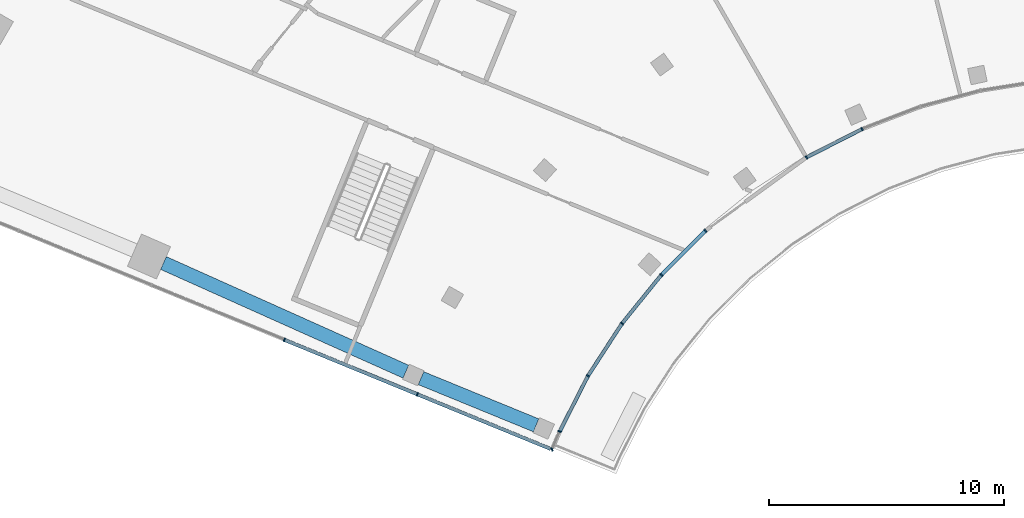
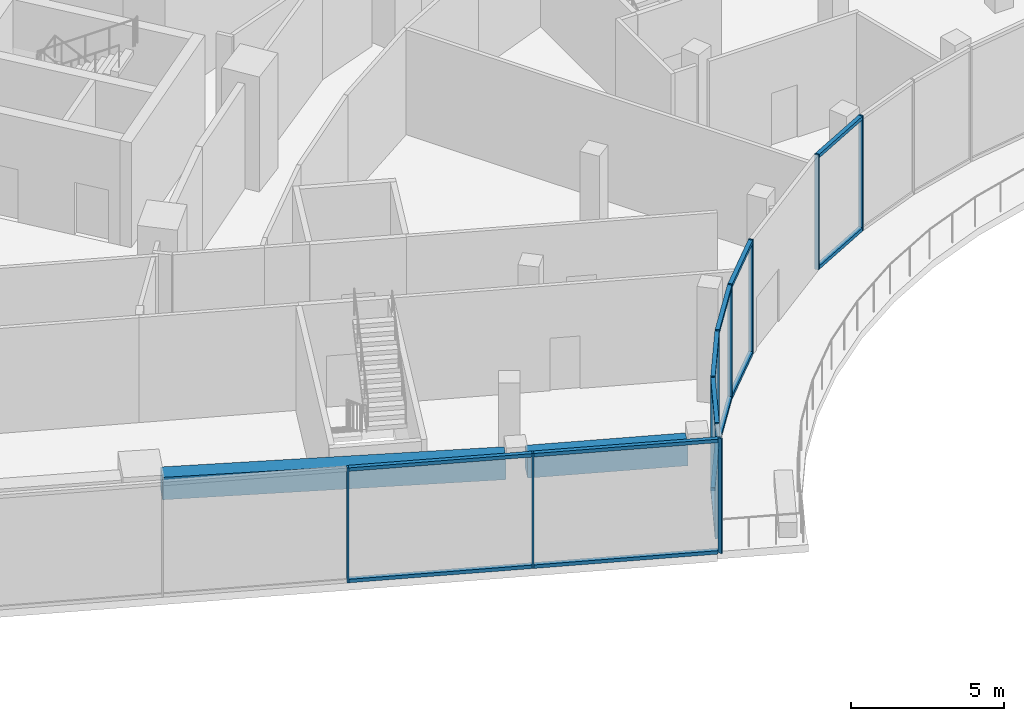
# One storey, part 4 of 39: 24 members, 2 beams, 2 elements without a shape of their own.
"""IFC4 building model written with IfcOpenShell, lengths in metres."""

from ifc_helpers import new_model, si_unit, direction, frame, origin, origin_2d, place, context, subcontext, project, spatial, rectangle, extrude, material, layer, layer_set, material_profile, profile_set, type_object, element, aggregate, save


model = new_model("IFC4")

# Units and contexts
model_context = context("Model", 3, precision=1e-05, world=origin(), true_north=direction((0.0, 1.0)))
body_context = subcontext(model_context, "Body", "Model", "MODEL_VIEW")
ifc_project = project(units=[si_unit("LENGTHUNIT", "METRE"), si_unit("AREAUNIT", "SQUARE_METRE"), si_unit("VOLUMEUNIT", "CUBIC_METRE"), si_unit("PLANEANGLEUNIT", "RADIAN"), si_unit("MASSUNIT", "GRAM", prefix="KILO")], contexts=[model_context])

# Site, building, storey
site_placement = place(None, origin())
site = spatial("IfcSite", under=ifc_project, at=site_placement, CompositionType="ELEMENT")
building_placement = place(site_placement, origin())
building = spatial("IfcBuilding", under=site, at=building_placement, Name="Stone Belt Terrace Tower", CompositionType="ELEMENT")
storey_placement = place(building_placement, frame((0.0, 0.0, 16.199951171875)))
storey = spatial("IfcBuildingStorey", under=building, at=storey_placement, Name="L03", CompositionType="ELEMENT", Elevation=16.199951171875)

# Curtain wall, members
ifc_material_1 = material(Name="Aluminium 6063-T6 anodised frame", Category="aluminium")
ifc_layer = layer(ifc_material_1, 0.14990234375)
ifc_layer_set = layer_set([ifc_layer], Name="CW-D podium shopfront")
curtain_wall_type = type_object("IfcCurtainWallType", Name="CW-D podium shopfront", PredefinedType="NOTDEFINED", material=ifc_layer_set)
curtain_wall_1_placement = place(storey_placement, origin())
curtain_wall_1 = element("IfcCurtainWall", 1, at=curtain_wall_1_placement, inside=storey, type_object=curtain_wall_type, Name="CW-D concave face L03", PredefinedType="NOTDEFINED")
ifc_material_profile_1 = material_profile(ifc_material_1, rectangle(XDim=0.14990234375, YDim=0.06005859375, at=origin_2d()), Name="Aluminium 6063-T6 60x150")
ifc_profile_set_1 = profile_set([ifc_material_profile_1], Name="Aluminium 6063-T6 anodised frame")
member_type_1 = type_object("IfcMemberType", Name="CW-D mullion 60 x 150", PredefinedType="MULLION", material=ifc_profile_set_1)
member_1_placement = place(storey_placement, frame((-23.55517578125, 9.5732421875, 0.0), z_axis=(0.0, 0.0, 1.0), x_axis=(-0.379212239192, 0.925309719849, 0.0)))
member_1 = element("IfcMember", 2, at=member_1_placement, type_object=member_type_1, Name="CW-D mullion 1", PredefinedType="MULLION", context=body_context, shape_type="SweptSolid", body=[
    extrude(rectangle(XDim=0.14990234375, YDim=0.06005859375, at=origin_2d()), origin(), (0.0, 0.0, 1.0), 4.60009765625),
])
member_2_placement = place(storey_placement, frame((-23.2275390625, 10.340087890625, 0.0), z_axis=(0.0, 0.0, 1.0), x_axis=(-0.905778201442, 0.423752108895, 0.0)))
member_2 = element("IfcMember", 3, at=member_2_placement, type_object=member_type_1, Name="CW-D mullion 2", PredefinedType="MULLION", context=body_context, shape_type="SweptSolid", body=[
    extrude(rectangle(XDim=0.14990234375, YDim=0.06005859375, at=origin_2d()), origin(), (0.0, 0.0, 1.0), 4.60009765625),
])
member_3_placement = place(storey_placement, frame((-22.0185546875, 12.71240234375, 0.0), z_axis=(0.0, 0.0, 1.0), x_axis=(-0.866025403784, 0.5, 0.0)))
member_3 = element("IfcMember", 4, at=member_3_placement, type_object=member_type_1, Name="CW-D mullion 3", PredefinedType="MULLION", context=body_context, shape_type="SweptSolid", body=[
    extrude(rectangle(XDim=0.14990234375, YDim=0.06005859375, at=origin_2d()), origin(), (0.0, 0.0, 1.0), 4.60009765625),
])
member_4_placement = place(storey_placement, frame((-20.569091796875, 14.9443359375, 0.0), z_axis=(0.0, 0.0, 1.0), x_axis=(-0.809016994375, 0.587785252292, 0.0)))
member_4 = element("IfcMember", 5, at=member_4_placement, type_object=member_type_1, Name="CW-D mullion 4", PredefinedType="MULLION", context=body_context, shape_type="SweptSolid", body=[
    extrude(rectangle(XDim=0.14990234375, YDim=0.06005859375, at=origin_2d()), origin(), (0.0, 0.0, 1.0), 4.60009765625),
])
member_5_placement = place(storey_placement, frame((-18.894287109375, 17.0126953125, 0.0), z_axis=(0.0, 0.0, 1.0), x_axis=(-0.743144825477, 0.669130606359, 0.0)))
member_5 = element("IfcMember", 6, at=member_5_placement, type_object=member_type_1, Name="CW-D mullion 5", PredefinedType="MULLION", context=body_context, shape_type="SweptSolid", body=[
    extrude(rectangle(XDim=0.14990234375, YDim=0.06005859375, at=origin_2d()), origin(), (0.0, 0.0, 1.0), 4.60009765625),
])
member_6_placement = place(storey_placement, frame((-17.013916015625, 18.89306640625, 0.0), z_axis=(0.0, 0.0, 1.0), x_axis=(-0.64944804833, 0.7604059656, 0.0)))
member_6 = element("IfcMember", 7, at=member_6_placement, type_object=member_type_1, Name="CW-D mullion 6", PredefinedType="MULLION", context=body_context, shape_type="SweptSolid", body=[
    extrude(rectangle(XDim=0.14990234375, YDim=0.06005859375, at=origin_2d()), origin(), (0.0, 0.0, 1.0), 4.60009765625),
])
member_7_placement = place(storey_placement, frame((-12.710693359375, 22.01953125, 0.0), z_axis=(0.0, 0.0, 1.0), x_axis=(-0.522498564716, 0.852640164354, 0.0)))
member_7 = element("IfcMember", 8, at=member_7_placement, type_object=member_type_1, Name="CW-D mullion 7", PredefinedType="MULLION", context=body_context, shape_type="SweptSolid", body=[
    extrude(rectangle(XDim=0.14990234375, YDim=0.06005859375, at=origin_2d()), origin(), (0.0, 0.0, 1.0), 4.60009765625),
])
member_8_placement = place(storey_placement, frame((-10.34130859375, 23.226806640625, 0.0), z_axis=(0.0, 0.0, 1.0), x_axis=(-0.406736643076, 0.913545457643, 0.0)))
member_8 = element("IfcMember", 9, at=member_8_placement, type_object=member_type_1, Name="CW-D mullion 8", PredefinedType="MULLION", context=body_context, shape_type="SweptSolid", body=[
    extrude(rectangle(XDim=0.14990234375, YDim=0.06005859375, at=origin_2d()), origin(), (0.0, 0.0, 1.0), 4.60009765625),
])

curtain_wall_2_placement = place(storey_placement, origin())
curtain_wall_2 = element("IfcCurtainWall", 10, at=curtain_wall_2_placement, inside=storey, type_object=curtain_wall_type, Name="CW-D end face L03", PredefinedType="NOTDEFINED")
member_9_placement = place(storey_placement, frame((-34.95849609375, 14.2470703125, 0.0), z_axis=(0.0, 0.0, 1.0), x_axis=(0.379243093825, 0.925297074342, 0.0)))
member_9 = element("IfcMember", 11, at=member_9_placement, type_object=member_type_1, Name="CW-D mullion 7", PredefinedType="MULLION", context=body_context, shape_type="SweptSolid", body=[
    extrude(rectangle(XDim=0.14990234375, YDim=0.06005859375, at=origin_2d()), origin(), (0.0, 0.0, 1.0), 4.60009765625),
])
member_10_placement = place(storey_placement, frame((-29.291015625, 11.924072265625, 0.0), z_axis=(0.0, 0.0, 1.0), x_axis=(0.379243093825, 0.925297074342, 0.0)))
member_10 = element("IfcMember", 12, at=member_10_placement, type_object=member_type_1, Name="CW-D mullion 8", PredefinedType="MULLION", context=body_context, shape_type="SweptSolid", body=[
    extrude(rectangle(XDim=0.14990234375, YDim=0.06005859375, at=origin_2d()), origin(), (0.0, 0.0, 1.0), 4.60009765625),
])

# Member
ifc_material_profile_2 = material_profile(ifc_material_1, rectangle(XDim=0.14990234375, YDim=0.139892578125, at=origin_2d()), Name="Aluminium 6063-T6 150x140")
ifc_profile_set_2 = profile_set([ifc_material_profile_2], Name="Aluminium 6063-T6 anodised frame")
member_type_2 = type_object("IfcMemberType", Name="CW-D transom 140 x 150", PredefinedType="USERDEFINED", material=ifc_profile_set_2)
member_11_placement = place(storey_placement, frame((-23.212646484375, 10.368896484375, 0.070068359375), z_axis=(0.453970855111, 0.891016533354, 0.0), x_axis=(-0.891016533354, 0.453970855111, 0.0)))
member_11 = element("IfcMember", 13, at=member_11_placement, type_object=member_type_2, Name="CW-D transom 2.1", ObjectType="TRANSOM", PredefinedType="USERDEFINED", context=body_context, shape_type="SweptSolid", body=[
    extrude(rectangle(XDim=0.14990234375, YDim=0.139892578125, at=origin_2d()), origin(), (0.0, 0.0, 1.0), 2.596435546875),
])

member_12_placement = place(storey_placement, frame((-23.212646484375, 10.368896484375, 4.530029296875), z_axis=(0.453970855111, 0.891016533354, 0.0), x_axis=(-0.891016533354, 0.453970855111, 0.0)))
member_12 = element("IfcMember", 14, at=member_12_placement, type_object=member_type_2, Name="CW-D transom 2.2", ObjectType="TRANSOM", PredefinedType="USERDEFINED", context=body_context, shape_type="SweptSolid", body=[
    extrude(rectangle(XDim=0.14990234375, YDim=0.139892578125, at=origin_2d()), origin(), (0.0, 0.0, 1.0), 2.596435546875),
])

member_13_placement = place(storey_placement, frame((-22.000244140625, 12.740966796875, 0.070068359375), z_axis=(0.544667356969, 0.838652174773, 0.0), x_axis=(-0.838652174773, 0.544667356969, 0.0)))
member_13 = element("IfcMember", 15, at=member_13_placement, type_object=member_type_2, Name="CW-D transom 3.1", ObjectType="TRANSOM", PredefinedType="USERDEFINED", context=body_context, shape_type="SweptSolid", body=[
    extrude(rectangle(XDim=0.14990234375, YDim=0.139892578125, at=origin_2d()), origin(), (0.0, 0.0, 1.0), 2.593505859375),
])

member_14_placement = place(storey_placement, frame((-22.000244140625, 12.740966796875, 4.530029296875), z_axis=(0.544667356969, 0.838652174773, 0.0), x_axis=(-0.838652174773, 0.544667356969, 0.0)))
member_14 = element("IfcMember", 16, at=member_14_placement, type_object=member_type_2, Name="CW-D transom 3.2", ObjectType="TRANSOM", PredefinedType="USERDEFINED", context=body_context, shape_type="SweptSolid", body=[
    extrude(rectangle(XDim=0.14990234375, YDim=0.139892578125, at=origin_2d()), origin(), (0.0, 0.0, 1.0), 2.593505859375),
])

member_15_placement = place(storey_placement, frame((-20.5478515625, 14.970703125, 0.070068359375), z_axis=(0.629287587589, 0.777172524029, 0.0), x_axis=(-0.777172524029, 0.629287587589, 0.0)))
member_15 = element("IfcMember", 17, at=member_15_placement, type_object=member_type_2, Name="CW-D transom 4.1", ObjectType="TRANSOM", PredefinedType="USERDEFINED", context=body_context, shape_type="SweptSolid", body=[
    extrude(rectangle(XDim=0.14990234375, YDim=0.139892578125, at=origin_2d()), origin(), (0.0, 0.0, 1.0), 2.593505859375),
])

member_16_placement = place(storey_placement, frame((-20.5478515625, 14.970703125, 4.530029296875), z_axis=(0.629287587589, 0.777172524029, 0.0), x_axis=(-0.777172524029, 0.629287587589, 0.0)))
member_16 = element("IfcMember", 18, at=member_16_placement, type_object=member_type_2, Name="CW-D transom 4.2", ObjectType="TRANSOM", PredefinedType="USERDEFINED", context=body_context, shape_type="SweptSolid", body=[
    extrude(rectangle(XDim=0.14990234375, YDim=0.139892578125, at=origin_2d()), origin(), (0.0, 0.0, 1.0), 2.593505859375),
])

member_17_placement = place(storey_placement, frame((-18.870361328125, 17.03662109375, 0.070068359375), z_axis=(0.707106781187, 0.707106781187, 0.0), x_axis=(-0.707106781187, 0.707106781187, 0.0)))
member_17 = element("IfcMember", 19, at=member_17_placement, type_object=member_type_2, Name="CW-D transom 5.1", ObjectType="TRANSOM", PredefinedType="USERDEFINED", context=body_context, shape_type="SweptSolid", body=[
    extrude(rectangle(XDim=0.14990234375, YDim=0.139892578125, at=origin_2d()), origin(), (0.0, 0.0, 1.0), 2.589599609375),
])

member_18_placement = place(storey_placement, frame((-18.870361328125, 17.03662109375, 4.530029296875), z_axis=(0.707106781187, 0.707106781187, 0.0), x_axis=(-0.707106781187, 0.707106781187, 0.0)))
member_18 = element("IfcMember", 20, at=member_18_placement, type_object=member_type_2, Name="CW-D transom 5.2", ObjectType="TRANSOM", PredefinedType="USERDEFINED", context=body_context, shape_type="SweptSolid", body=[
    extrude(rectangle(XDim=0.14990234375, YDim=0.139892578125, at=origin_2d()), origin(), (0.0, 0.0, 1.0), 2.589599609375),
])

member_19_placement = place(storey_placement, frame((-12.6787109375, 22.03564453125, 0.070068359375), z_axis=(0.890988410313, 0.454026048468, 0.0), x_axis=(-0.454026048468, 0.890988410313, 0.0)))
member_19 = element("IfcMember", 21, at=member_19_placement, type_object=member_type_2, Name="CW-D transom 7.1", ObjectType="TRANSOM", PredefinedType="USERDEFINED", context=body_context, shape_type="SweptSolid", body=[
    extrude(rectangle(XDim=0.14990234375, YDim=0.139892578125, at=origin_2d()), origin(), (0.0, 0.0, 1.0), 2.589599609375),
])

member_20_placement = place(storey_placement, frame((-12.6787109375, 22.03564453125, 4.530029296875), z_axis=(0.890988410313, 0.454026048468, 0.0), x_axis=(-0.454026048468, 0.890988410313, 0.0)))
member_20 = element("IfcMember", 22, at=member_20_placement, type_object=member_type_2, Name="CW-D transom 7.2", ObjectType="TRANSOM", PredefinedType="USERDEFINED", context=body_context, shape_type="SweptSolid", body=[
    extrude(rectangle(XDim=0.14990234375, YDim=0.139892578125, at=origin_2d()), origin(), (0.0, 0.0, 1.0), 2.589599609375),
])

aggregate(curtain_wall_1, [member_1, member_2, member_3, member_4, member_5, member_6, member_7, member_8, member_11, member_12, member_13, member_14, member_15, member_16, member_17, member_18, member_19, member_20])

member_21_placement = place(storey_placement, frame((-34.9306640625, 14.235595703125, 0.070068359375), z_axis=(0.92530374933, -0.379226807432, 0.0), x_axis=(0.379226807432, 0.92530374933, 0.0)))
member_21 = element("IfcMember", 23, at=member_21_placement, type_object=member_type_2, Name="CW-D transom 7.1", ObjectType="TRANSOM", PredefinedType="USERDEFINED", context=body_context, shape_type="SweptSolid", body=[
    extrude(rectangle(XDim=0.14990234375, YDim=0.139892578125, at=origin_2d()), origin(), (0.0, 0.0, 1.0), 6.065185546875),
])

member_22_placement = place(storey_placement, frame((-34.9306640625, 14.235595703125, 4.530029296875), z_axis=(0.92530374933, -0.379226807432, 0.0), x_axis=(0.379226807432, 0.92530374933, 0.0)))
member_22 = element("IfcMember", 24, at=member_22_placement, type_object=member_type_2, Name="CW-D transom 7.2", ObjectType="TRANSOM", PredefinedType="USERDEFINED", context=body_context, shape_type="SweptSolid", body=[
    extrude(rectangle(XDim=0.14990234375, YDim=0.139892578125, at=origin_2d()), origin(), (0.0, 0.0, 1.0), 6.065185546875),
])

member_23_placement = place(storey_placement, frame((-29.26318359375, 11.912841796875, 0.070068359375), z_axis=(0.92529407816, -0.379250403984, 0.0), x_axis=(0.379250403984, 0.92529407816, 0.0)))
member_23 = element("IfcMember", 25, at=member_23_placement, type_object=member_type_2, Name="CW-D transom 8.1", ObjectType="TRANSOM", PredefinedType="USERDEFINED", context=body_context, shape_type="SweptSolid", body=[
    extrude(rectangle(XDim=0.14990234375, YDim=0.139892578125, at=origin_2d()), origin(), (0.0, 0.0, 1.0), 6.094970703125),
])

member_24_placement = place(storey_placement, frame((-29.26318359375, 11.912841796875, 4.530029296875), z_axis=(0.92529407816, -0.379250403984, 0.0), x_axis=(0.379250403984, 0.92529407816, 0.0)))
member_24 = element("IfcMember", 26, at=member_24_placement, type_object=member_type_2, Name="CW-D transom 8.2", ObjectType="TRANSOM", PredefinedType="USERDEFINED", context=body_context, shape_type="SweptSolid", body=[
    extrude(rectangle(XDim=0.14990234375, YDim=0.139892578125, at=origin_2d()), origin(), (0.0, 0.0, 1.0), 6.094970703125),
])

aggregate(curtain_wall_2, [member_9, member_10, member_21, member_22, member_23, member_24])

# Beams
ifc_material_2 = material(Name="Concrete B60", Category="concrete")
ifc_material_profile_3 = material_profile(ifc_material_2, rectangle(XDim=0.60009765625, YDim=0.89990234375, at=origin_2d()), Name="RC 600x900")
ifc_profile_set_3 = profile_set([ifc_material_profile_3], Name="Concrete B60")
beam_type = type_object("IfcBeamType", Name="Edge beam RC 600x900 B60", PredefinedType="SPANDREL", material=ifc_profile_set_3)
beam_1_placement = place(storey_placement, frame((-24.232421875, 10.601806640625, 3.75), z_axis=(-0.925289242227, 0.379262202466, 0.0), x_axis=(-0.379262202466, -0.925289242227, 0.0)))
element("IfcBeam", 27, at=beam_1_placement, inside=storey, type_object=beam_type, Name="Edge beam L03 A N to O", PredefinedType="SPANDREL", context=body_context, shape_type="SweptSolid", body=[
    extrude(rectangle(XDim=0.60009765625, YDim=0.89990234375, at=origin_2d()), origin(), (0.0, 0.0, 1.0), 5.301025390625),
])
beam_2_placement = place(storey_placement, frame((-29.78076171875, 12.88818359375, 3.75), z_axis=(-0.91252459094, 0.409021846519, 0.0), x_axis=(-0.409021846519, -0.91252459094, 0.0)))
element("IfcBeam", 28, at=beam_2_placement, inside=storey, type_object=beam_type, Name="Edge beam L03 A O to P", PredefinedType="SPANDREL", context=body_context, shape_type="SweptSolid", body=[
    extrude(rectangle(XDim=0.60009765625, YDim=0.89990234375, at=origin_2d()), origin(), (0.0, 0.0, 1.0), 11.320556640625),
])

save(model, "model.ifc")
